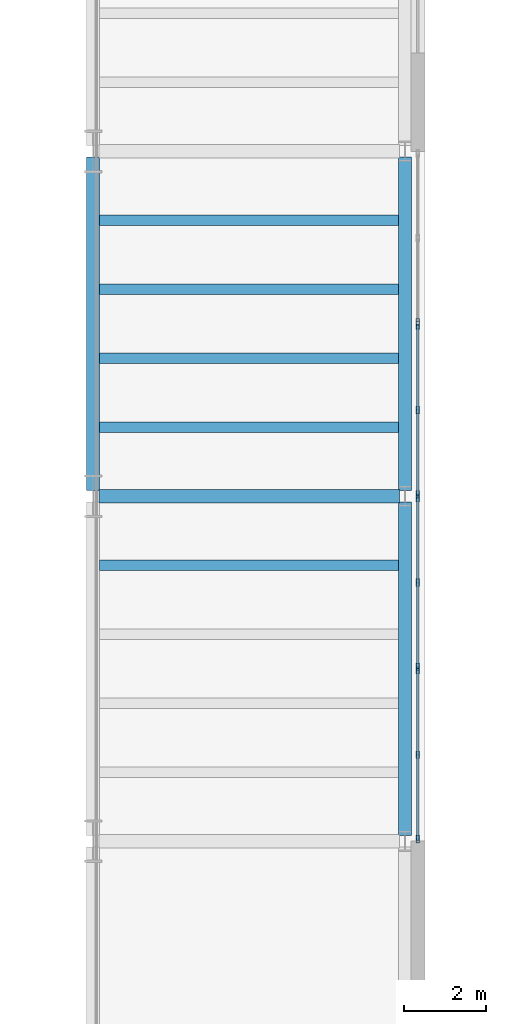
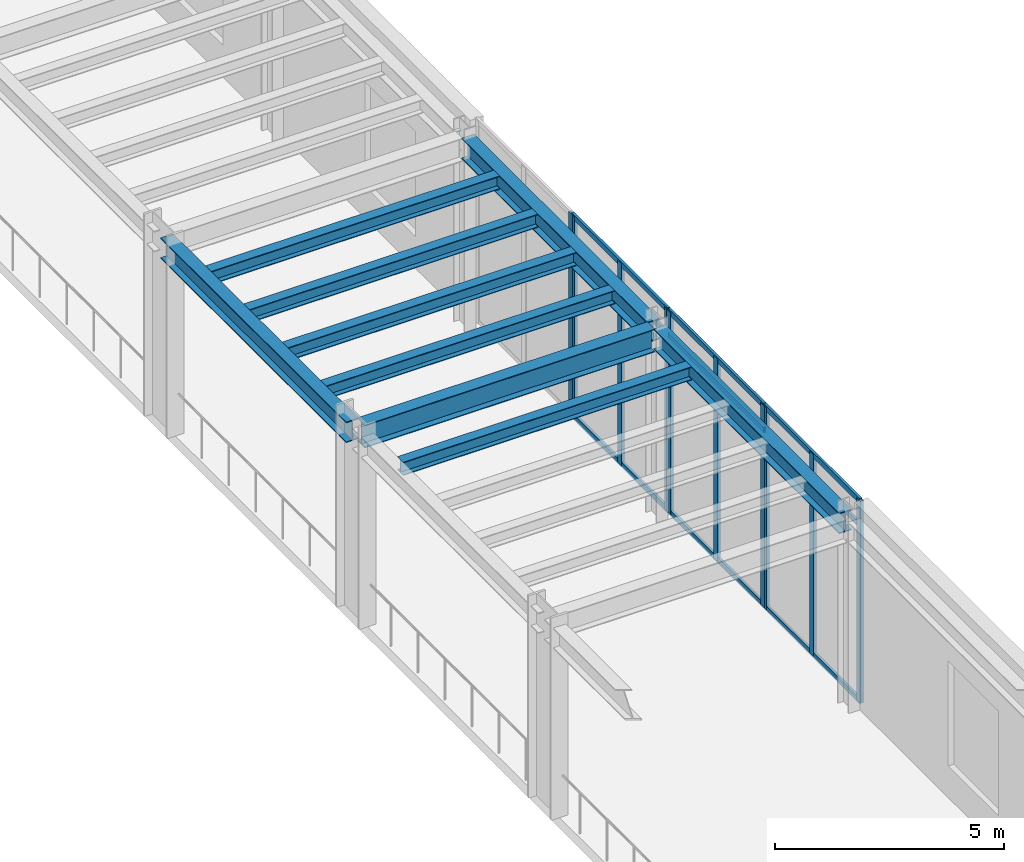
# One storey, part 26 of 98: 19 members, 9 beams, 4 elements without a shape of their own.
"""IFC4 building model written with IfcOpenShell, lengths in metres."""

from ifc_helpers import new_model, si_unit, direction, frame, origin, origin_2d, place, context, subcontext, project, spatial, hollow_rectangle, i_section, extrude, material, layer, layer_set, material_profile, profile_set, type_object, element, aggregate, save


model = new_model("IFC4")

# Units and contexts
model_context = context("Model", 3, precision=1e-05, world=origin(), true_north=direction((0.0, 1.0)))
body_context = subcontext(model_context, "Body", "Model", "MODEL_VIEW")
ifc_project = project(units=[si_unit("LENGTHUNIT", "METRE"), si_unit("AREAUNIT", "SQUARE_METRE"), si_unit("VOLUMEUNIT", "CUBIC_METRE"), si_unit("PLANEANGLEUNIT", "RADIAN"), si_unit("MASSUNIT", "GRAM", prefix="KILO")], contexts=[model_context])

# Site, building, storey
site_placement = place(None, origin())
site = spatial("IfcSite", under=ifc_project, at=site_placement, CompositionType="ELEMENT")
building_placement = place(site_placement, origin())
building = spatial("IfcBuilding", under=site, at=building_placement, Name="Sollismere Congress Hotel", CompositionType="ELEMENT")
storey_placement = place(building_placement, frame((0.0, 0.0, 5.39990234375)))
storey = spatial("IfcBuildingStorey", under=building, at=storey_placement, Name="L01", CompositionType="ELEMENT", Elevation=5.39990234375)

# Beams
ifc_material_1 = material(Name="Steel ASTM A992 Grade 50", Category="steel")
ifc_material_profile_1 = material_profile(ifc_material_1, i_section(OverallWidth=0.31494140625, OverallDepth=0.551025390625, WebThickness=0.01513671875, FlangeThickness=0.0244140625, at=origin_2d()), Name="W21X122")
ifc_profile_set_1 = profile_set([ifc_material_profile_1], Name="Steel ASTM A992 Grade 50")
beam_type_1 = type_object("IfcBeamType", Name="BM-G21H", PredefinedType="BEAM", material=ifc_profile_set_1)
beam_1_placement = place(storey_placement, frame((50.39990234375, 41.739990234375, 4.844482421875), z_axis=(0.0, 1.0, 0.0), x_axis=(-1.0, 0.0, 0.0)))
element("IfcBeam", 1, at=beam_1_placement, inside=storey, type_object=beam_type_1, Name="Beam BM-L01-1642", PredefinedType="BEAM", context=body_context, shape_type="SweptSolid", body=[
    extrude(i_section(OverallWidth=0.31494140625, OverallDepth=0.551025390625, WebThickness=0.01513671875, FlangeThickness=0.0244140625, at=origin_2d()), origin(), (0.0, 0.0, 1.0), 8.1201171875),
])
beam_2_placement = place(storey_placement, frame((58.0, 33.340087890625, 4.844482421875), z_axis=(0.0, 1.0, 0.0), x_axis=(-1.0, 0.0, 0.0)))
element("IfcBeam", 2, at=beam_2_placement, inside=storey, type_object=beam_type_1, Name="Beam BM-L01-1648", PredefinedType="BEAM", context=body_context, shape_type="SweptSolid", body=[
    extrude(i_section(OverallWidth=0.31494140625, OverallDepth=0.551025390625, WebThickness=0.01513671875, FlangeThickness=0.0244140625, at=origin_2d()), origin(), (0.0, 0.0, 1.0), 8.119873046875),
])
beam_3_placement = place(storey_placement, frame((58.0, 41.739990234375, 4.844482421875), z_axis=(0.0, 1.0, 0.0), x_axis=(-1.0, 0.0, 0.0)))
element("IfcBeam", 3, at=beam_3_placement, inside=storey, type_object=beam_type_1, Name="Beam BM-L01-1649", PredefinedType="BEAM", context=body_context, shape_type="SweptSolid", body=[
    extrude(i_section(OverallWidth=0.31494140625, OverallDepth=0.551025390625, WebThickness=0.01513671875, FlangeThickness=0.0244140625, at=origin_2d()), origin(), (0.0, 0.0, 1.0), 8.1201171875),
])
ifc_material_profile_2 = material_profile(ifc_material_1, i_section(OverallWidth=0.324951171875, OverallDepth=0.612060546875, WebThickness=0.0126953125, FlangeThickness=0.01904296875, at=origin_2d()), Name="W24X104")
ifc_profile_set_2 = profile_set([ifc_material_profile_2], Name="Steel ASTM A992 Grade 50")
beam_type_2 = type_object("IfcBeamType", Name="BM-G24", PredefinedType="BEAM", material=ifc_profile_set_2)
beam_4_placement = place(storey_placement, frame((50.5400390625, 41.60009765625, 4.814208984375), z_axis=(1.0, 0.0, 0.0), x_axis=(0.0, 1.0, 0.0)))
element("IfcBeam", 4, at=beam_4_placement, inside=storey, type_object=beam_type_2, Name="Beam BM-L01-1573", PredefinedType="BEAM", context=body_context, shape_type="SweptSolid", body=[
    extrude(i_section(OverallWidth=0.324951171875, OverallDepth=0.612060546875, WebThickness=0.0126953125, FlangeThickness=0.01904296875, at=origin_2d()), origin(), (0.0, 0.0, 1.0), 7.320068359375),
])
ifc_material_profile_3 = material_profile(ifc_material_1, i_section(OverallWidth=0.25390625, OverallDepth=0.35595703125, WebThickness=0.010498046875, FlangeThickness=0.018310546875, at=origin_2d()), Name="W14X68")
ifc_profile_set_3 = profile_set([ifc_material_profile_3], Name="Steel ASTM A992 Grade 50")
beam_type_3 = type_object("IfcBeamType", Name="BM-J14", PredefinedType="JOIST", material=ifc_profile_set_3)
for number, where, z_axis, x_axis, name in (
    (5, (50.5576171875, 39.919921875, 4.942138671875), (1.0, 0.0, 0.0), (0.0, 1.0, 0.0), "Beam BM-L01-1762"),
    (6, (50.5576171875, 43.280029296875, 4.942138671875), (1.0, 0.0, 0.0), (0.0, 1.0, 0.0), "Beam BM-L01-1763"),
    (7, (50.5576171875, 44.9599609375, 4.942138671875), (1.0, 0.0, 0.0), (0.0, 1.0, 0.0), "Beam BM-L01-1764"),
    (8, (50.5576171875, 46.639892578125, 4.942138671875), (1.0, 0.0, 0.0), (0.0, 1.0, 0.0), "Beam BM-L01-1765"),
    (9, (50.5576171875, 48.320068359375, 4.942138671875), (1.0, 0.0, 0.0), (0.0, 1.0, 0.0), "Beam BM-L01-1766"),
):
    element("IfcBeam", number, at=place(storey_placement, frame(where, z_axis=z_axis, x_axis=x_axis)), inside=storey, type_object=beam_type_3, Name=name, PredefinedType="JOIST", context=body_context, shape_type="SweptSolid", body=[
        extrude(i_section(OverallWidth=0.25390625, OverallDepth=0.35595703125, WebThickness=0.010498046875, FlangeThickness=0.018310546875, at=origin_2d()), origin(), (0.0, 0.0, 1.0), 7.284912109375),
    ])

# Curtain wall, members
ifc_material_2 = material(Name="Anodized Bronze Curtain Wall & Low-E Triple Glazing", Category="glass")
ifc_layer = layer(ifc_material_2, 0.199951171875, Name="Anodized Bronze Curtain Wall & Low-E Triple Glazing")
ifc_layer_set = layer_set([ifc_layer], Name="Anodized Bronze Curtain Wall & Low-E Triple Glazing")
curtain_wall_type = type_object("IfcCurtainWallType", Name="CW-GLZ36", PredefinedType="USERDEFINED", material=ifc_layer_set)
curtain_wall_1_placement = place(storey_placement, origin())
curtain_wall_1 = element("IfcCurtainWall", 10, at=curtain_wall_1_placement, inside=storey, type_object=curtain_wall_type, Name="Unitised curtain wall CW-L01-131", ObjectType="UNITISED CURTAIN WALL", PredefinedType="USERDEFINED")
ifc_material_3 = material(Name="Anodized Aluminum 6063-T6", Category="aluminium")
ifc_material_profile_4 = material_profile(ifc_material_3, hollow_rectangle(XDim=0.074951171875, YDim=0.179931640625, WallThickness=0.0048828125, at=origin_2d()), Name="ALU180X75X5")
ifc_profile_set_4 = profile_set([ifc_material_profile_4], Name="Anodized Aluminum 6063-T6")
member_type_1 = type_object("IfcMemberType", Name="ML-CW180", PredefinedType="MULLION", material=ifc_profile_set_4)
member_1_placement = place(storey_placement, frame((58.31005859375, 33.248046875, 0.0), z_axis=(0.0, 0.0, 1.0), x_axis=(-1.0, 0.0, 0.0)))
member_1 = element("IfcMember", 11, at=member_1_placement, type_object=member_type_1, Name="CWL-CW-L01-131-ML01", PredefinedType="MULLION", context=body_context, shape_type="SweptSolid", body=[
    extrude(hollow_rectangle(XDim=0.074951171875, YDim=0.179931640625, WallThickness=0.0048828125, at=origin_2d()), origin(), (0.0, 0.0, 1.0), 5.400146484375),
])
member_2_placement = place(storey_placement, frame((58.31005859375, 35.304931640625, 0.0), z_axis=(0.0, 0.0, 1.0), x_axis=(-1.0, 0.0, 0.0)))
member_2 = element("IfcMember", 12, at=member_2_placement, type_object=member_type_1, Name="CWL-CW-L01-131-ML02", PredefinedType="MULLION", context=body_context, shape_type="SweptSolid", body=[
    extrude(hollow_rectangle(XDim=0.074951171875, YDim=0.179931640625, WallThickness=0.0048828125, at=origin_2d()), origin(), (0.0, 0.0, 1.0), 5.400146484375),
])
member_3_placement = place(storey_placement, frame((58.31005859375, 37.362060546875, 0.0), z_axis=(0.0, 0.0, 1.0), x_axis=(-1.0, 0.0, 0.0)))
member_3 = element("IfcMember", 13, at=member_3_placement, type_object=member_type_1, Name="CWL-CW-L01-131-ML03", PredefinedType="MULLION", context=body_context, shape_type="SweptSolid", body=[
    extrude(hollow_rectangle(XDim=0.074951171875, YDim=0.179931640625, WallThickness=0.0048828125, at=origin_2d()), origin(), (0.0, 0.0, 1.0), 5.400146484375),
])

curtain_wall_2_placement = place(storey_placement, origin())
curtain_wall_2 = element("IfcCurtainWall", 14, at=curtain_wall_2_placement, inside=storey, type_object=curtain_wall_type, Name="Unitised curtain wall CW-L01-132", ObjectType="UNITISED CURTAIN WALL", PredefinedType="USERDEFINED")
member_4_placement = place(storey_placement, frame((58.31005859375, 37.43798828125, 0.0), z_axis=(0.0, 0.0, 1.0), x_axis=(-1.0, 0.0, 0.0)))
member_4 = element("IfcMember", 15, at=member_4_placement, type_object=member_type_1, Name="CWL-CW-L01-132-ML01", PredefinedType="MULLION", context=body_context, shape_type="SweptSolid", body=[
    extrude(hollow_rectangle(XDim=0.074951171875, YDim=0.179931640625, WallThickness=0.0048828125, at=origin_2d()), origin(), (0.0, 0.0, 1.0), 5.400146484375),
])
member_5_placement = place(storey_placement, frame((58.31005859375, 39.4951171875, 0.0), z_axis=(0.0, 0.0, 1.0), x_axis=(-1.0, 0.0, 0.0)))
member_5 = element("IfcMember", 16, at=member_5_placement, type_object=member_type_1, Name="CWL-CW-L01-132-ML02", PredefinedType="MULLION", context=body_context, shape_type="SweptSolid", body=[
    extrude(hollow_rectangle(XDim=0.074951171875, YDim=0.179931640625, WallThickness=0.0048828125, at=origin_2d()), origin(), (0.0, 0.0, 1.0), 5.400146484375),
])
member_6_placement = place(storey_placement, frame((58.31005859375, 41.552001953125, 0.0), z_axis=(0.0, 0.0, 1.0), x_axis=(-1.0, 0.0, 0.0)))
member_6 = element("IfcMember", 17, at=member_6_placement, type_object=member_type_1, Name="CWL-CW-L01-132-ML03", PredefinedType="MULLION", context=body_context, shape_type="SweptSolid", body=[
    extrude(hollow_rectangle(XDim=0.074951171875, YDim=0.179931640625, WallThickness=0.0048828125, at=origin_2d()), origin(), (0.0, 0.0, 1.0), 5.400146484375),
])

curtain_wall_3_placement = place(storey_placement, origin())
curtain_wall_3 = element("IfcCurtainWall", 18, at=curtain_wall_3_placement, inside=storey, type_object=curtain_wall_type, Name="Unitised curtain wall CW-L01-133", ObjectType="UNITISED CURTAIN WALL", PredefinedType="USERDEFINED")
member_7_placement = place(storey_placement, frame((58.31005859375, 41.64794921875, 0.0), z_axis=(0.0, 0.0, 1.0), x_axis=(-1.0, 0.0, 0.0)))
member_7 = element("IfcMember", 19, at=member_7_placement, type_object=member_type_1, Name="CWL-CW-L01-133-ML01", PredefinedType="MULLION", context=body_context, shape_type="SweptSolid", body=[
    extrude(hollow_rectangle(XDim=0.074951171875, YDim=0.179931640625, WallThickness=0.0048828125, at=origin_2d()), origin(), (0.0, 0.0, 1.0), 5.400146484375),
])
member_8_placement = place(storey_placement, frame((58.31005859375, 43.705078125, 0.0), z_axis=(0.0, 0.0, 1.0), x_axis=(-1.0, 0.0, 0.0)))
member_8 = element("IfcMember", 20, at=member_8_placement, type_object=member_type_1, Name="CWL-CW-L01-133-ML02", PredefinedType="MULLION", context=body_context, shape_type="SweptSolid", body=[
    extrude(hollow_rectangle(XDim=0.074951171875, YDim=0.179931640625, WallThickness=0.0048828125, at=origin_2d()), origin(), (0.0, 0.0, 1.0), 5.400146484375),
])
member_9_placement = place(storey_placement, frame((58.31005859375, 45.761962890625, 0.0), z_axis=(0.0, 0.0, 1.0), x_axis=(-1.0, 0.0, 0.0)))
member_9 = element("IfcMember", 21, at=member_9_placement, type_object=member_type_1, Name="CWL-CW-L01-133-ML03", PredefinedType="MULLION", context=body_context, shape_type="SweptSolid", body=[
    extrude(hollow_rectangle(XDim=0.074951171875, YDim=0.179931640625, WallThickness=0.0048828125, at=origin_2d()), origin(), (0.0, 0.0, 1.0), 5.400146484375),
])

# Curtain wall, member
curtain_wall_4_placement = place(storey_placement, origin())
curtain_wall_4 = element("IfcCurtainWall", 22, at=curtain_wall_4_placement, inside=storey, type_object=curtain_wall_type, Name="Unitised curtain wall CW-L01-134", ObjectType="UNITISED CURTAIN WALL", PredefinedType="USERDEFINED")
member_10_placement = place(storey_placement, frame((58.31005859375, 45.837890625, 0.0), z_axis=(0.0, 0.0, 1.0), x_axis=(-1.0, 0.0, 0.0)))
member_10 = element("IfcMember", 23, at=member_10_placement, type_object=member_type_1, Name="CWL-CW-L01-134-ML01", PredefinedType="MULLION", context=body_context, shape_type="SweptSolid", body=[
    extrude(hollow_rectangle(XDim=0.074951171875, YDim=0.179931640625, WallThickness=0.0048828125, at=origin_2d()), origin(), (0.0, 0.0, 1.0), 5.400146484375),
])
aggregate(curtain_wall_4, [member_10])

# Member
ifc_material_profile_5 = material_profile(ifc_material_3, hollow_rectangle(XDim=0.06494140625, YDim=0.139892578125, WallThickness=0.00390625, at=origin_2d()), Name="ALU140X65X4")
ifc_profile_set_5 = profile_set([ifc_material_profile_5], Name="Anodized Aluminum 6063-T6")
member_type_2 = type_object("IfcMemberType", Name="TR-CW150", PredefinedType="MEMBER", material=ifc_profile_set_5)
member_11_placement = place(storey_placement, frame((58.31005859375, 33.2099609375, 0.03271484375), z_axis=(0.0, 1.0, 0.0), x_axis=(-1.0, 0.0, 0.0)))
member_11 = element("IfcMember", 24, at=member_11_placement, type_object=member_type_2, Name="CWL-CW-L01-131-TR1", PredefinedType="MEMBER", context=body_context, shape_type="SweptSolid", body=[
    extrude(hollow_rectangle(XDim=0.06494140625, YDim=0.139892578125, WallThickness=0.00390625, at=origin_2d()), origin(), (0.0, 0.0, 1.0), 4.18994140625),
])

member_12_placement = place(storey_placement, frame((58.31005859375, 33.2099609375, 4.72021484375), z_axis=(0.0, 1.0, 0.0), x_axis=(-1.0, 0.0, 0.0)))
member_12 = element("IfcMember", 25, at=member_12_placement, type_object=member_type_2, Name="CWL-CW-L01-131-TR2", PredefinedType="MEMBER", context=body_context, shape_type="SweptSolid", body=[
    extrude(hollow_rectangle(XDim=0.06494140625, YDim=0.139892578125, WallThickness=0.00390625, at=origin_2d()), origin(), (0.0, 0.0, 1.0), 4.18994140625),
])

member_13_placement = place(storey_placement, frame((58.31005859375, 33.2099609375, 5.36767578125), z_axis=(0.0, 1.0, 0.0), x_axis=(-1.0, 0.0, 0.0)))
member_13 = element("IfcMember", 26, at=member_13_placement, type_object=member_type_2, Name="CWL-CW-L01-131-TR3", PredefinedType="MEMBER", context=body_context, shape_type="SweptSolid", body=[
    extrude(hollow_rectangle(XDim=0.06494140625, YDim=0.139892578125, WallThickness=0.00390625, at=origin_2d()), origin(), (0.0, 0.0, 1.0), 4.18994140625),
])

aggregate(curtain_wall_1, [member_1, member_2, member_3, member_11, member_12, member_13])

member_14_placement = place(storey_placement, frame((58.31005859375, 37.39990234375, 0.03271484375), z_axis=(0.0, 1.0, 0.0), x_axis=(-1.0, 0.0, 0.0)))
member_14 = element("IfcMember", 27, at=member_14_placement, type_object=member_type_2, Name="CWL-CW-L01-132-TR1", PredefinedType="MEMBER", context=body_context, shape_type="SweptSolid", body=[
    extrude(hollow_rectangle(XDim=0.06494140625, YDim=0.139892578125, WallThickness=0.00390625, at=origin_2d()), origin(), (0.0, 0.0, 1.0), 4.190185546875),
])

member_15_placement = place(storey_placement, frame((58.31005859375, 37.39990234375, 4.72021484375), z_axis=(0.0, 1.0, 0.0), x_axis=(-1.0, 0.0, 0.0)))
member_15 = element("IfcMember", 28, at=member_15_placement, type_object=member_type_2, Name="CWL-CW-L01-132-TR2", PredefinedType="MEMBER", context=body_context, shape_type="SweptSolid", body=[
    extrude(hollow_rectangle(XDim=0.06494140625, YDim=0.139892578125, WallThickness=0.00390625, at=origin_2d()), origin(), (0.0, 0.0, 1.0), 4.190185546875),
])

member_16_placement = place(storey_placement, frame((58.31005859375, 37.39990234375, 5.36767578125), z_axis=(0.0, 1.0, 0.0), x_axis=(-1.0, 0.0, 0.0)))
member_16 = element("IfcMember", 29, at=member_16_placement, type_object=member_type_2, Name="CWL-CW-L01-132-TR3", PredefinedType="MEMBER", context=body_context, shape_type="SweptSolid", body=[
    extrude(hollow_rectangle(XDim=0.06494140625, YDim=0.139892578125, WallThickness=0.00390625, at=origin_2d()), origin(), (0.0, 0.0, 1.0), 4.190185546875),
])

aggregate(curtain_wall_2, [member_4, member_5, member_6, member_14, member_15, member_16])

member_17_placement = place(storey_placement, frame((58.31005859375, 41.610107421875, 0.03271484375), z_axis=(0.0, 1.0, 0.0), x_axis=(-1.0, 0.0, 0.0)))
member_17 = element("IfcMember", 30, at=member_17_placement, type_object=member_type_2, Name="CWL-CW-L01-133-TR1", PredefinedType="MEMBER", context=body_context, shape_type="SweptSolid", body=[
    extrude(hollow_rectangle(XDim=0.06494140625, YDim=0.139892578125, WallThickness=0.00390625, at=origin_2d()), origin(), (0.0, 0.0, 1.0), 4.18994140625),
])

member_18_placement = place(storey_placement, frame((58.31005859375, 41.610107421875, 4.72021484375), z_axis=(0.0, 1.0, 0.0), x_axis=(-1.0, 0.0, 0.0)))
member_18 = element("IfcMember", 31, at=member_18_placement, type_object=member_type_2, Name="CWL-CW-L01-133-TR2", PredefinedType="MEMBER", context=body_context, shape_type="SweptSolid", body=[
    extrude(hollow_rectangle(XDim=0.06494140625, YDim=0.139892578125, WallThickness=0.00390625, at=origin_2d()), origin(), (0.0, 0.0, 1.0), 4.18994140625),
])

member_19_placement = place(storey_placement, frame((58.31005859375, 41.610107421875, 5.36767578125), z_axis=(0.0, 1.0, 0.0), x_axis=(-1.0, 0.0, 0.0)))
member_19 = element("IfcMember", 32, at=member_19_placement, type_object=member_type_2, Name="CWL-CW-L01-133-TR3", PredefinedType="MEMBER", context=body_context, shape_type="SweptSolid", body=[
    extrude(hollow_rectangle(XDim=0.06494140625, YDim=0.139892578125, WallThickness=0.00390625, at=origin_2d()), origin(), (0.0, 0.0, 1.0), 4.18994140625),
])

aggregate(curtain_wall_3, [member_7, member_8, member_9, member_17, member_18, member_19])

save(model, "model.ifc")
